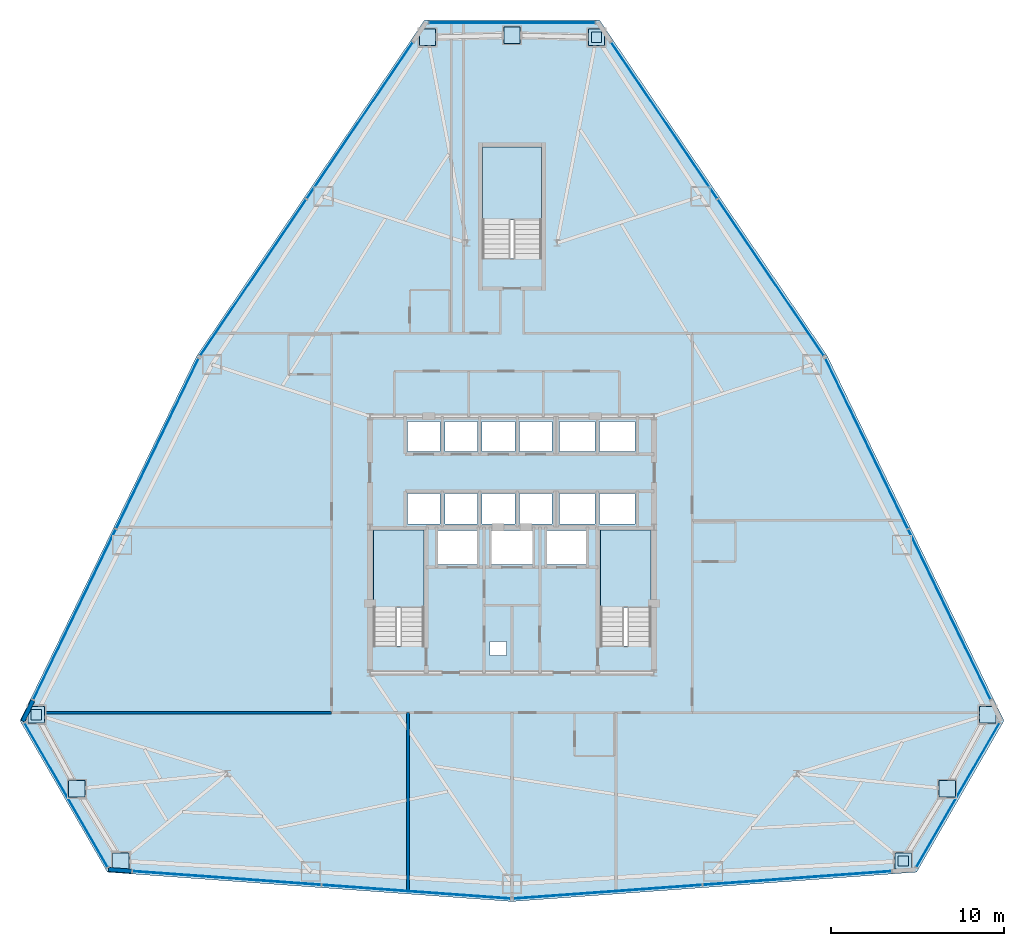
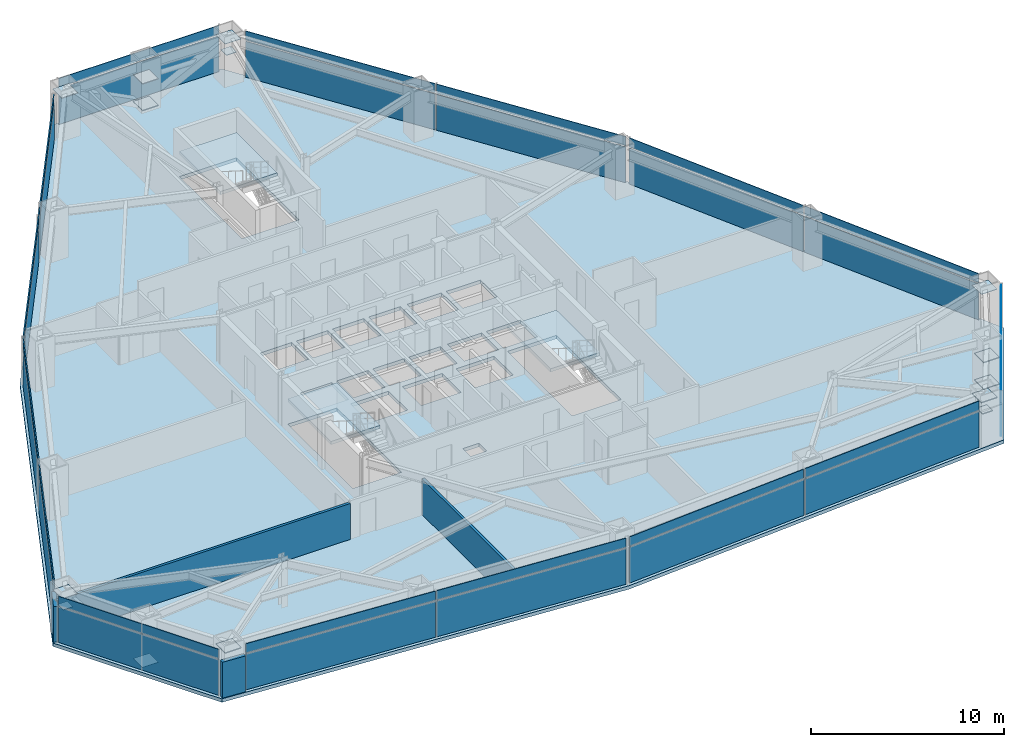
# One storey, part 8 of 12: 45 plates, 4 slabs, 4 walls, 12 elements without a shape of their own.
"""IFC4 building model written with IfcOpenShell, lengths in metres."""

from ifc_helpers import new_model, si_unit, direction, frame, frame_2d, origin, origin_2d, place, context, subcontext, project, spatial, polyline, rectangle, outline, extrude, source, transform, mapped, material, layer, layer_set, type_object, type_shapes, element, aggregate, save


model = new_model("IFC4")

# Units and contexts
model_context = context("Model", 3, precision=1e-05, world=origin(), true_north=direction((0.0, 1.0)))
body_context = subcontext(model_context, "Body", "Model", "MODEL_VIEW")
ifc_project = project(units=[si_unit("LENGTHUNIT", "METRE"), si_unit("AREAUNIT", "SQUARE_METRE"), si_unit("VOLUMEUNIT", "CUBIC_METRE"), si_unit("PLANEANGLEUNIT", "RADIAN"), si_unit("MASSUNIT", "GRAM", prefix="KILO")], contexts=[model_context])

# Site, building, storey
site_placement = place(None, origin())
site = spatial("IfcSite", under=ifc_project, at=site_placement, CompositionType="ELEMENT")
building_placement = place(site_placement, origin())
building = spatial("IfcBuilding", under=site, at=building_placement, Name="Varakhsha Concourse Tower", CompositionType="ELEMENT")
storey_placement = place(building_placement, frame((0.0, 0.0, 56.0)))
storey = spatial("IfcBuildingStorey", under=building, at=storey_placement, Name="L15", CompositionType="ELEMENT", Elevation=56.0)

# Slab
ifc_material_1 = material(Name="Concrete fc 45 MPa", Category="concrete")
ifc_layer_1 = layer(ifc_material_1, 0.219970703125, Name="SL-FLR-220")
ifc_layer_set_1 = layer_set([ifc_layer_1], Name="Concrete fc 45 MPa")
slab_type_1 = type_object("IfcSlabType", Name="SL-FLR-220", PredefinedType="FLOOR", material=ifc_layer_set_1)
slab_1_placement = place(storey_placement, frame((0.0, 0.0, -0.219970703125)))
element("IfcSlab", 1, at=slab_1_placement, inside=storey, type_object=slab_type_1, Name="L15 Composite Structural Slab", PredefinedType="FLOOR", context=body_context, shape_type="SweptSolid", body=[
    extrude(outline(polyline([(45.04296875, 54.0654296875), (34.95703125, 54.0654296875), (21.818115234375, 34.697265625), (11.6142578125, 13.634521484375), (16.656982421875, 4.89990234375), (40.0, 3.20556640625), (63.343017578125, 4.89990234375), (68.3857421875, 13.634521484375), (58.181884765625, 34.697265625), (45.04296875, 54.0654296875)]), holes=[polyline([(34.919921875, 17.93994140625), (34.919921875, 24.6298828125), (32.0, 24.6298828125), (32.0, 17.93994140625), (34.919921875, 17.93994140625)]), polyline([(48.02001953125, 17.93994140625), (48.02001953125, 24.6298828125), (45.10009765625, 24.6298828125), (45.10009765625, 17.93994140625), (48.02001953125, 17.93994140625)]), polyline([(41.699951171875, 40.300048828125), (41.699951171875, 46.75), (38.300048828125, 46.75), (38.300048828125, 40.300048828125), (41.699951171875, 40.300048828125)]), polyline([(33.9599609375, 29.159912109375), (35.840087890625, 29.159912109375), (35.840087890625, 30.89990234375), (33.9599609375, 30.89990234375), (33.9599609375, 29.159912109375)]), polyline([(36.1201171875, 29.159912109375), (38.0, 29.159912109375), (38.0, 30.89990234375), (36.1201171875, 30.89990234375), (36.1201171875, 29.159912109375)]), polyline([(38.280029296875, 29.159912109375), (40.159912109375, 29.159912109375), (40.159912109375, 30.89990234375), (38.280029296875, 30.89990234375), (38.280029296875, 29.159912109375)]), polyline([(40.43994140625, 29.159912109375), (42.320068359375, 29.159912109375), (42.320068359375, 30.89990234375), (40.43994140625, 30.89990234375), (40.43994140625, 29.159912109375)]), polyline([(33.9599609375, 25.0), (35.840087890625, 25.0), (35.840087890625, 26.739990234375), (33.9599609375, 26.739990234375), (33.9599609375, 25.0)]), polyline([(36.1201171875, 25.0), (38.0, 25.0), (38.0, 26.739990234375), (36.1201171875, 26.739990234375), (36.1201171875, 25.0)]), polyline([(38.280029296875, 25.0), (40.159912109375, 25.0), (40.159912109375, 26.739990234375), (38.280029296875, 26.739990234375), (38.280029296875, 25.0)]), polyline([(40.43994140625, 25.0), (42.320068359375, 25.0), (42.320068359375, 26.739990234375), (40.43994140625, 26.739990234375), (40.43994140625, 25.0)]), polyline([(42.739990234375, 29.159912109375), (44.780029296875, 29.159912109375), (44.780029296875, 30.89990234375), (42.739990234375, 30.89990234375), (42.739990234375, 29.159912109375)]), polyline([(45.06005859375, 29.159912109375), (47.10009765625, 29.159912109375), (47.10009765625, 30.89990234375), (45.06005859375, 30.89990234375), (45.06005859375, 29.159912109375)]), polyline([(42.739990234375, 25.0), (44.780029296875, 25.0), (44.780029296875, 26.739990234375), (42.739990234375, 26.739990234375), (42.739990234375, 25.0)]), polyline([(45.06005859375, 25.0), (47.10009765625, 25.0), (47.10009765625, 26.739990234375), (45.06005859375, 26.739990234375), (45.06005859375, 25.0)]), polyline([(35.7099609375, 22.639892578125), (37.989990234375, 22.639892578125), (37.989990234375, 24.60009765625), (35.7099609375, 24.60009765625), (35.7099609375, 22.639892578125)]), polyline([(42.010009765625, 22.639892578125), (44.2900390625, 22.639892578125), (44.2900390625, 24.60009765625), (42.010009765625, 24.60009765625), (42.010009765625, 22.639892578125)]), polyline([(38.81005859375, 22.639892578125), (41.18994140625, 22.639892578125), (41.18994140625, 24.60009765625), (38.81005859375, 24.60009765625), (38.81005859375, 22.639892578125)]), polyline([(38.719970703125, 17.39990234375), (39.679931640625, 17.39990234375), (39.679931640625, 18.199951171875), (38.719970703125, 18.199951171875), (38.719970703125, 17.39990234375)])]), origin(), (0.0, 0.0, 1.0), 0.219970703125),
])

# Stair, slab
stair_type_1 = type_object("IfcStairType", Name="ST-DOGLEG-1360", PredefinedType="HALF_TURN_STAIR", material=ifc_material_1)
stair_1_placement = place(storey_placement, origin())
stair_1 = element("IfcStair", 2, at=stair_1_placement, inside=storey, type_object=stair_type_1, Name="L15 Protected Exit Stair ST1", PredefinedType="HALF_TURN_STAIR")
ifc_layer_2 = layer(ifc_material_1, 0.199951171875, Name="SL-LAND-200")
ifc_layer_set_2 = layer_set([ifc_layer_2], Name="Concrete fc 45 MPa")
slab_type_2 = type_object("IfcSlabType", Name="SL-LAND-200", PredefinedType="LANDING", material=ifc_layer_set_2)
slab_2_placement = place(storey_placement, frame((0.0, 0.0, 1.39990234375)))
slab_2 = element("IfcSlab", 3, at=slab_2_placement, type_object=slab_type_2, Name="ST1 landing 1", PredefinedType="LANDING", context=body_context, shape_type="SweptSolid", body=[
    extrude(outline(polyline([(34.919921875, 20.179931640625), (34.919921875, 24.6298828125), (32.0, 24.6298828125), (32.0, 20.179931640625), (34.919921875, 20.179931640625)])), origin(), (0.0, 0.0, 1.0), 0.2001953125),
])
aggregate(stair_1, [slab_2])

stair_2_placement = place(storey_placement, origin())
stair_2 = element("IfcStair", 4, at=stair_2_placement, inside=storey, type_object=stair_type_1, Name="L15 Protected Exit Stair ST2", PredefinedType="HALF_TURN_STAIR")
slab_3_placement = place(storey_placement, frame((0.0, 0.0, 1.39990234375)))
slab_3 = element("IfcSlab", 5, at=slab_3_placement, type_object=slab_type_2, Name="ST2 landing 1", PredefinedType="LANDING", context=body_context, shape_type="SweptSolid", body=[
    extrude(outline(polyline([(48.02001953125, 20.179931640625), (48.02001953125, 24.6298828125), (45.10009765625, 24.6298828125), (45.10009765625, 20.179931640625), (48.02001953125, 20.179931640625)])), origin(), (0.0, 0.0, 1.0), 0.2001953125),
])
aggregate(stair_2, [slab_3])

stair_type_2 = type_object("IfcStairType", Name="ST-DOGLEG-1600", PredefinedType="HALF_TURN_STAIR", material=ifc_material_1)
stair_3_placement = place(storey_placement, origin())
stair_3 = element("IfcStair", 6, at=stair_3_placement, inside=storey, type_object=stair_type_2, Name="L15 Protected Exit Stair ST5", PredefinedType="HALF_TURN_STAIR")
slab_4_placement = place(storey_placement, frame((0.0, 0.0, 1.39990234375)))
slab_4 = element("IfcSlab", 7, at=slab_4_placement, type_object=slab_type_2, Name="ST5 landing 1", PredefinedType="LANDING", context=body_context, shape_type="SweptSolid", body=[
    extrude(outline(polyline([(41.699951171875, 42.5400390625), (41.699951171875, 46.75), (38.300048828125, 46.75), (38.300048828125, 42.5400390625), (41.699951171875, 42.5400390625)])), origin(), (0.0, 0.0, 1.0), 0.2001953125),
])
aggregate(stair_3, [slab_4])

# Plates
ifc_material_2 = material(Name="Structural Steel ASTM A572 Grade 50", Category="steel")
ifc_layer_3 = layer(ifc_material_2, 0.030029296875, Name="PL-ENDCAP-950")
ifc_layer_set_3 = layer_set([ifc_layer_3], Name="Structural Steel ASTM A572 Grade 50")
plate_type_1 = type_object("IfcPlateType", Name="PL-ENDCAP-950", PredefinedType="USERDEFINED", material=ifc_layer_set_3)
shared_shape_1 = source(origin(), body_context, "Body", "SweptSolid", [
    extrude(rectangle(XDim=0.949951171875, YDim=0.949951171875, at=origin_2d()), origin(), (0.0, 0.0, 1.0), 0.030029296875),
])
type_shapes(plate_type_1, [shared_shape_1])
for number, where, z_axis, x_axis, name in (
    (8, (40.0, 53.185546875, 0.10498046875), (0.0, 0.0, 1.0), (1.0, 0.0, 0.0), "Hollow Section End Cap GP-NODE-L15-0100"),
    (9, (44.87451171875, 53.067626953125, 2.6650390625), (0.0, 0.0, 1.0), (1.0, 0.0, 0.0), "Hollow Section End Cap GP-NODE-L15-0101"),
    (10, (35.12548828125, 53.067626953125, 2.6650390625), (0.0, 0.0, 1.0), (1.0, 0.0, 0.0), "Hollow Section End Cap GP-NODE-L15-0102"),
    (11, (14.897705078125, 9.707275390625, 0.10498046875), (0.0, 0.0, 1.0), (1.0, 0.0, 0.0), "Hollow Section End Cap GP-NODE-L15-0103"),
    (12, (12.562744140625, 13.987548828125, 2.6650390625), (0.0, 0.0, 1.0), (1.0, 0.0, 0.0), "Hollow Section End Cap GP-NODE-L15-0104"),
    (13, (17.43701171875, 5.544921875, 2.6650390625), (0.0, 0.0, 1.0), (1.0, 0.0, 0.0), "Hollow Section End Cap GP-NODE-L15-0105"),
    (14, (65.102294921875, 9.707275390625, 0.10498046875), (0.0, 0.0, 1.0), (1.0, 0.0, 0.0), "Hollow Section End Cap GP-NODE-L15-0106"),
    (15, (62.56298828125, 5.544921875, 2.6650390625), (0.0, 0.0, 1.0), (1.0, 0.0, 0.0), "Hollow Section End Cap GP-NODE-L15-0107"),
    (16, (67.437255859375, 13.987548828125, 2.6650390625), (0.0, 0.0, 1.0), (1.0, 0.0, 0.0), "Hollow Section End Cap GP-NODE-L15-0108"),
    (17, (40.0, 53.185546875, 1.78515625), (0.0, 0.0, 1.0), (1.0, 0.0, 0.0), "Hollow Section End Cap GP-NODE-L15-0109"),
    (18, (14.897705078125, 9.707275390625, 1.78515625), (0.0, 0.0, 1.0), (1.0, 0.0, 0.0), "Hollow Section End Cap GP-NODE-L15-0110"),
    (19, (65.102294921875, 9.707275390625, 1.78515625), (0.0, 0.0, 1.0), (1.0, 0.0, 0.0), "Hollow Section End Cap GP-NODE-L15-0111"),
):
    element("IfcPlate", number, at=place(storey_placement, frame(where, z_axis=z_axis, x_axis=x_axis)), inside=storey, type_object=plate_type_1, Name=name, ObjectType="END PLATE", PredefinedType="USERDEFINED", context=body_context, shape_type="MappedRepresentation", body=[
        mapped(shared_shape_1, transform((0.0, 0.0, 0.0), scale=1.0)),
    ])
ifc_layer_4 = layer(ifc_material_2, 0.030029296875, Name="PL-BASE-600")
ifc_layer_set_4 = layer_set([ifc_layer_4], Name="Structural Steel ASTM A572 Grade 50")
plate_type_2 = type_object("IfcPlateType", Name="PL-BASE-600", PredefinedType="SHEET", material=ifc_layer_set_4)
shared_shape_2 = source(origin(), body_context, "Body", "SweptSolid", [
    extrude(rectangle(XDim=0.60009765625, YDim=0.60009765625, at=origin_2d()), origin(), (0.0, 0.0, 1.0), 0.030029296875),
])
type_shapes(plate_type_2, [shared_shape_2])
for number, where, z_axis, x_axis, name in (
    (20, (44.87451171875, 53.067626953125, 1.78515625), (0.0, 0.0, 1.0), (1.0, 0.0, 0.0), "Hollow Section End Cap BP-WTIE-L15-1"),
    (21, (12.562744140625, 13.987548828125, 1.78515625), (0.0, 0.0, 1.0), (1.0, 0.0, 0.0), "Hollow Section End Cap BP-WTIE-L15-2"),
    (22, (62.56298828125, 5.544921875, 1.78515625), (0.0, 0.0, 1.0), (1.0, 0.0, 0.0), "Hollow Section End Cap BP-WTIE-L15-3"),
):
    element("IfcPlate", number, at=place(storey_placement, frame(where, z_axis=z_axis, x_axis=x_axis)), inside=storey, type_object=plate_type_2, Name=name, PredefinedType="SHEET", context=body_context, shape_type="MappedRepresentation", body=[
        mapped(shared_shape_2, transform((0.0, 0.0, 0.0), scale=1.0)),
    ])

# Curtain wall, plates
ifc_material_3 = material(Name="Anodised Bronze Architectural Aluminium AA 6063-T6", Category="aluminium")
ifc_layer_5 = layer(ifc_material_3, 0.219970703125, Name="CW-SYS-02")
ifc_layer_set_5 = layer_set([ifc_layer_5], Name="Anodised Bronze Architectural Aluminium AA 6063-T6")
curtain_wall_type = type_object("IfcCurtainWallType", Name="CW-SYS-02", PredefinedType="NOTDEFINED", material=ifc_layer_set_5)
curtain_wall_1_placement = place(storey_placement, origin())
curtain_wall_1 = element("IfcCurtainWall", 23, at=curtain_wall_1_placement, inside=storey, type_object=curtain_wall_type, Name="L15 Chamfer Curtain Wall F1", PredefinedType="NOTDEFINED")
ifc_material_4 = material(Name="Insulated Anodised Bronze Aluminium Spandrel 36 mm", Category="aluminium")
ifc_layer_6 = layer(ifc_material_4, 0.035888671875, Name="CWP-SPN-36")
ifc_layer_set_6 = layer_set([ifc_layer_6], Name="Insulated Anodised Bronze Aluminium Spandrel 36 mm")
plate_type_3 = type_object("IfcPlateType", Name="CWP-SPN-36", PredefinedType="USERDEFINED", material=ifc_layer_set_6)
shared_shape_3 = source(origin(), body_context, "Body", "SweptSolid", [
    extrude(rectangle(XDim=9.56689453125, YDim=0.035888671875, at=origin_2d()), origin(), (0.0, 0.0, 1.0), 2.260986328125),
])
plate_1_placement = place(storey_placement, frame((40.0, 53.905517578125, 0.03466796875), z_axis=(0.0, 0.0, 1.0), x_axis=(1.0, 0.0, 0.0)))
plate_1 = element("IfcPlate", 24, at=plate_1_placement, type_object=plate_type_3, Name="CW-L15-F1 Panel 00-00", ObjectType="SPANDREL", PredefinedType="USERDEFINED", context=body_context, shape_type="MappedRepresentation", body=[
    mapped(shared_shape_3, transform((0.0, 0.0, 0.0), scale=1.0)),
])
ifc_material_5 = material(Name="Glazed Turquoise-Bronze Ceramic Spandrel Panel 38 mm", Category="ceramic")
ifc_layer_7 = layer(ifc_material_5, 0.0380859375, Name="CWP-SPN-38")
ifc_layer_set_7 = layer_set([ifc_layer_7], Name="Glazed Turquoise-Bronze Ceramic Spandrel Panel 38 mm")
plate_type_4 = type_object("IfcPlateType", Name="CWP-SPN-38", PredefinedType="USERDEFINED", material=ifc_layer_set_7)
shared_shape_4 = source(origin(), body_context, "Body", "SweptSolid", [
    extrude(rectangle(XDim=9.56689453125, YDim=0.0380859375, at=origin_2d()), origin(), (0.0, 0.0, 1.0), 0.5810546875),
])
plate_2_placement = place(storey_placement, frame((40.0, 53.905517578125, 2.364501953125), z_axis=(0.0, 0.0, 1.0), x_axis=(1.0, 0.0, 0.0)))
plate_2 = element("IfcPlate", 25, at=plate_2_placement, type_object=plate_type_4, Name="CW-L15-F1 Panel 00-01", ObjectType="SPANDREL", PredefinedType="USERDEFINED", context=body_context, shape_type="MappedRepresentation", body=[
    mapped(shared_shape_4, transform((0.0, 0.0, 0.0), scale=1.0)),
])
aggregate(curtain_wall_1, [plate_1, plate_2])

curtain_wall_2_placement = place(storey_placement, origin())
curtain_wall_2 = element("IfcCurtainWall", 26, at=curtain_wall_2_placement, inside=storey, type_object=curtain_wall_type, Name="L15 Crystal Curtain Wall F2", PredefinedType="NOTDEFINED")
ifc_material_6 = material(Name="Low-E Triple Insulating Glass IGU 44 mm", Category="glass")
ifc_layer_8 = layer(ifc_material_6, 0.0439453125, Name="CWP-IGU-44")
ifc_layer_set_8 = layer_set([ifc_layer_8], Name="Low-E Triple Insulating Glass IGU 44 mm")
plate_type_5 = type_object("IfcPlateType", Name="CWP-IGU-44", PredefinedType="CURTAIN_PANEL", material=ifc_layer_set_8)
shared_shape_5 = source(origin(), body_context, "Body", "SweptSolid", [
    extrude(rectangle(XDim=10.873046875, YDim=0.0439453125, at=origin_2d()), origin(), (0.0, 0.0, 1.0), 2.260986328125),
])
plate_3_placement = place(storey_placement, frame((25.069580078125, 39.205322265625, 0.03466796875), z_axis=(0.0, 0.0, 1.0), x_axis=(0.561391731634, 0.827550194038, 0.0)))
plate_3 = element("IfcPlate", 27, at=plate_3_placement, type_object=plate_type_5, Name="CW-L15-F2 Panel 00-00", PredefinedType="CURTAIN_PANEL", context=body_context, shape_type="MappedRepresentation", body=[
    mapped(shared_shape_5, transform((0.0, 0.0, 0.0), scale=1.0)),
])
plate_4_placement = place(storey_placement, frame((31.218017578125, 48.268798828125, 0.03466796875), z_axis=(0.0, 0.0, 1.0), x_axis=(0.561391731634, 0.827550194038, 0.0)))
plate_4 = element("IfcPlate", 28, at=plate_4_placement, type_object=plate_type_5, Name="CW-L15-F2 Panel 01-00", PredefinedType="CURTAIN_PANEL", context=body_context, shape_type="MappedRepresentation", body=[
    mapped(shared_shape_5, transform((0.0, 0.0, 0.0), scale=1.0)),
])

# Curtain wall, plate
curtain_wall_3_placement = place(storey_placement, origin())
curtain_wall_3 = element("IfcCurtainWall", 29, at=curtain_wall_3_placement, inside=storey, type_object=curtain_wall_type, Name="L15 Crystal Curtain Wall F3", PredefinedType="NOTDEFINED")
plate_5_placement = place(storey_placement, frame((14.764892578125, 19.770751953125, 0.03466796875), z_axis=(0.0, 0.0, 1.0), x_axis=(0.435982054409, 0.899955359022, 0.0)))
plate_5 = element("IfcPlate", 30, at=plate_5_placement, type_object=plate_type_5, Name="CW-L15-F3 Panel 00-00", PredefinedType="CURTAIN_PANEL", context=body_context, shape_type="MappedRepresentation", body=[
    mapped(shared_shape_5, transform((0.0, 0.0, 0.0), scale=1.0)),
])

curtain_wall_4_placement = place(storey_placement, origin())
curtain_wall_4 = element("IfcCurtainWall", 31, at=curtain_wall_4_placement, inside=storey, type_object=curtain_wall_type, Name="L15 Crystal Curtain Wall F5", PredefinedType="NOTDEFINED")
plate_6_placement = place(storey_placement, frame((34.47021484375, 3.767333984375, 0.03466796875), z_axis=(0.0, 0.0, 1.0), x_axis=(-0.997375609494, 0.072400922553, 0.0)))
plate_6 = element("IfcPlate", 32, at=plate_6_placement, type_object=plate_type_5, Name="CW-L15-F5 Panel 00-00", PredefinedType="CURTAIN_PANEL", context=body_context, shape_type="MappedRepresentation", body=[
    mapped(shared_shape_5, transform((0.0, 0.0, 0.0), scale=1.0)),
])

curtain_wall_5_placement = place(storey_placement, origin())
curtain_wall_5 = element("IfcCurtainWall", 33, at=curtain_wall_5_placement, inside=storey, type_object=curtain_wall_type, Name="L15 Crystal Curtain Wall F6", PredefinedType="NOTDEFINED")
plate_7_placement = place(storey_placement, frame((56.453369140625, 4.560302734375, 0.03466796875), z_axis=(0.0, 0.0, 1.0), x_axis=(-0.997375609494, -0.072400922553, 0.0)))
plate_7 = element("IfcPlate", 34, at=plate_7_placement, type_object=plate_type_5, Name="CW-L15-F6 Panel 00-00", PredefinedType="CURTAIN_PANEL", context=body_context, shape_type="MappedRepresentation", body=[
    mapped(shared_shape_5, transform((0.0, 0.0, 0.0), scale=1.0)),
])

curtain_wall_6_placement = place(storey_placement, origin())
curtain_wall_6 = element("IfcCurtainWall", 35, at=curtain_wall_6_placement, inside=storey, type_object=curtain_wall_type, Name="L15 Crystal Curtain Wall F8", PredefinedType="NOTDEFINED")
plate_8_placement = place(storey_placement, frame((60.460205078125, 29.627197265625, 0.03466796875), z_axis=(0.0, 0.0, 1.0), x_axis=(0.435982054409, -0.899955359022, 0.0)))
plate_8 = element("IfcPlate", 36, at=plate_8_placement, type_object=plate_type_5, Name="CW-L15-F8 Panel 00-00", PredefinedType="CURTAIN_PANEL", context=body_context, shape_type="MappedRepresentation", body=[
    mapped(shared_shape_5, transform((0.0, 0.0, 0.0), scale=1.0)),
])

# Curtain wall, plates
curtain_wall_7_placement = place(storey_placement, origin())
curtain_wall_7 = element("IfcCurtainWall", 37, at=curtain_wall_7_placement, inside=storey, type_object=curtain_wall_type, Name="L15 Crystal Curtain Wall F9", PredefinedType="NOTDEFINED")
plate_9_placement = place(storey_placement, frame((48.781982421875, 48.268798828125, 0.03466796875), z_axis=(0.0, 0.0, 1.0), x_axis=(0.561391731634, -0.827550194038, 0.0)))
plate_9 = element("IfcPlate", 38, at=plate_9_placement, type_object=plate_type_5, Name="CW-L15-F9 Panel 00-00", PredefinedType="CURTAIN_PANEL", context=body_context, shape_type="MappedRepresentation", body=[
    mapped(shared_shape_5, transform((0.0, 0.0, 0.0), scale=1.0)),
])
plate_10_placement = place(storey_placement, frame((54.930419921875, 39.205322265625, 0.03466796875), z_axis=(0.0, 0.0, 1.0), x_axis=(0.561391731634, -0.827550194038, 0.0)))
plate_10 = element("IfcPlate", 39, at=plate_10_placement, type_object=plate_type_5, Name="CW-L15-F9 Panel 01-00", PredefinedType="CURTAIN_PANEL", context=body_context, shape_type="MappedRepresentation", body=[
    mapped(shared_shape_5, transform((0.0, 0.0, 0.0), scale=1.0)),
])

# Plate
shared_shape_6 = source(origin(), body_context, "Body", "SweptSolid", [
    extrude(rectangle(XDim=10.873046875, YDim=0.0380859375, at=origin_2d()), origin(), (0.0, 0.0, 1.0), 0.5810546875),
])
plate_11_placement = place(storey_placement, frame((25.069580078125, 39.205322265625, 2.364501953125), z_axis=(0.0, 0.0, 1.0), x_axis=(0.561391731634, 0.827550194038, 0.0)))
plate_11 = element("IfcPlate", 40, at=plate_11_placement, type_object=plate_type_4, Name="CW-L15-F2 Panel 00-01", ObjectType="SPANDREL", PredefinedType="USERDEFINED", context=body_context, shape_type="MappedRepresentation", body=[
    mapped(shared_shape_6, transform((0.0, 0.0, 0.0), scale=1.0)),
])

plate_12_placement = place(storey_placement, frame((31.218017578125, 48.268798828125, 2.364501953125), z_axis=(0.0, 0.0, 1.0), x_axis=(0.561391731634, 0.827550194038, 0.0)))
plate_12 = element("IfcPlate", 41, at=plate_12_placement, type_object=plate_type_4, Name="CW-L15-F2 Panel 01-01", ObjectType="SPANDREL", PredefinedType="USERDEFINED", context=body_context, shape_type="MappedRepresentation", body=[
    mapped(shared_shape_6, transform((0.0, 0.0, 0.0), scale=1.0)),
])

aggregate(curtain_wall_2, [plate_3, plate_11, plate_4, plate_12])

plate_13_placement = place(storey_placement, frame((14.764892578125, 19.770751953125, 2.364501953125), z_axis=(0.0, 0.0, 1.0), x_axis=(0.435982054409, 0.899955359022, 0.0)))
plate_13 = element("IfcPlate", 42, at=plate_13_placement, type_object=plate_type_4, Name="CW-L15-F3 Panel 00-01", ObjectType="SPANDREL", PredefinedType="USERDEFINED", context=body_context, shape_type="MappedRepresentation", body=[
    mapped(shared_shape_6, transform((0.0, 0.0, 0.0), scale=1.0)),
])

plate_14_placement = place(storey_placement, frame((34.47021484375, 3.767333984375, 2.364501953125), z_axis=(0.0, 0.0, 1.0), x_axis=(-0.997375609494, 0.072400922553, 0.0)))
plate_14 = element("IfcPlate", 43, at=plate_14_placement, type_object=plate_type_4, Name="CW-L15-F5 Panel 00-01", ObjectType="SPANDREL", PredefinedType="USERDEFINED", context=body_context, shape_type="MappedRepresentation", body=[
    mapped(shared_shape_6, transform((0.0, 0.0, 0.0), scale=1.0)),
])

plate_15_placement = place(storey_placement, frame((56.453369140625, 4.560302734375, 2.364501953125), z_axis=(0.0, 0.0, 1.0), x_axis=(-0.997375609494, -0.072400922553, 0.0)))
plate_15 = element("IfcPlate", 44, at=plate_15_placement, type_object=plate_type_4, Name="CW-L15-F6 Panel 00-01", ObjectType="SPANDREL", PredefinedType="USERDEFINED", context=body_context, shape_type="MappedRepresentation", body=[
    mapped(shared_shape_6, transform((0.0, 0.0, 0.0), scale=1.0)),
])

plate_16_placement = place(storey_placement, frame((60.460205078125, 29.627197265625, 2.364501953125), z_axis=(0.0, 0.0, 1.0), x_axis=(0.435982054409, -0.899955359022, 0.0)))
plate_16 = element("IfcPlate", 45, at=plate_16_placement, type_object=plate_type_4, Name="CW-L15-F8 Panel 00-01", ObjectType="SPANDREL", PredefinedType="USERDEFINED", context=body_context, shape_type="MappedRepresentation", body=[
    mapped(shared_shape_6, transform((0.0, 0.0, 0.0), scale=1.0)),
])

plate_17_placement = place(storey_placement, frame((48.781982421875, 48.268798828125, 2.364501953125), z_axis=(0.0, 0.0, 1.0), x_axis=(0.561391731634, -0.827550194038, 0.0)))
plate_17 = element("IfcPlate", 46, at=plate_17_placement, type_object=plate_type_4, Name="CW-L15-F9 Panel 00-01", ObjectType="SPANDREL", PredefinedType="USERDEFINED", context=body_context, shape_type="MappedRepresentation", body=[
    mapped(shared_shape_6, transform((0.0, 0.0, 0.0), scale=1.0)),
])

plate_18_placement = place(storey_placement, frame((54.930419921875, 39.205322265625, 2.364501953125), z_axis=(0.0, 0.0, 1.0), x_axis=(0.561391731634, -0.827550194038, 0.0)))
plate_18 = element("IfcPlate", 47, at=plate_18_placement, type_object=plate_type_4, Name="CW-L15-F9 Panel 01-01", ObjectType="SPANDREL", PredefinedType="USERDEFINED", context=body_context, shape_type="MappedRepresentation", body=[
    mapped(shared_shape_6, transform((0.0, 0.0, 0.0), scale=1.0)),
])

aggregate(curtain_wall_7, [plate_9, plate_17, plate_10, plate_18])

shared_shape_7 = source(origin(), body_context, "Body", "SweptSolid", [
    extrude(rectangle(XDim=10.873291015625, YDim=0.0439453125, at=origin_2d()), origin(), (0.0, 0.0, 1.0), 2.260986328125),
])
type_shapes(plate_type_5, [shared_shape_5, shared_shape_7])
plate_19_placement = place(storey_placement, frame((19.539794921875, 29.627197265625, 0.03466796875), z_axis=(0.0, 0.0, 1.0), x_axis=(0.435982054409, 0.899955359022, 0.0)))
plate_19 = element("IfcPlate", 48, at=plate_19_placement, type_object=plate_type_5, Name="CW-L15-F3 Panel 01-00", PredefinedType="CURTAIN_PANEL", context=body_context, shape_type="MappedRepresentation", body=[
    mapped(shared_shape_7, transform((0.0, 0.0, 0.0), scale=1.0)),
])

plate_20_placement = place(storey_placement, frame((23.546630859375, 4.560302734375, 0.03466796875), z_axis=(0.0, 0.0, 1.0), x_axis=(-0.997375609494, 0.072400922553, 0.0)))
plate_20 = element("IfcPlate", 49, at=plate_20_placement, type_object=plate_type_5, Name="CW-L15-F5 Panel 01-00", PredefinedType="CURTAIN_PANEL", context=body_context, shape_type="MappedRepresentation", body=[
    mapped(shared_shape_7, transform((0.0, 0.0, 0.0), scale=1.0)),
])

plate_21_placement = place(storey_placement, frame((45.52978515625, 3.767333984375, 0.03466796875), z_axis=(0.0, 0.0, 1.0), x_axis=(-0.997375609494, -0.072400922553, 0.0)))
plate_21 = element("IfcPlate", 50, at=plate_21_placement, type_object=plate_type_5, Name="CW-L15-F6 Panel 01-00", PredefinedType="CURTAIN_PANEL", context=body_context, shape_type="MappedRepresentation", body=[
    mapped(shared_shape_7, transform((0.0, 0.0, 0.0), scale=1.0)),
])

plate_22_placement = place(storey_placement, frame((65.235107421875, 19.77099609375, 0.03466796875), z_axis=(0.0, 0.0, 1.0), x_axis=(0.435982054409, -0.899955359022, 0.0)))
plate_22 = element("IfcPlate", 51, at=plate_22_placement, type_object=plate_type_5, Name="CW-L15-F8 Panel 01-00", PredefinedType="CURTAIN_PANEL", context=body_context, shape_type="MappedRepresentation", body=[
    mapped(shared_shape_7, transform((0.0, 0.0, 0.0), scale=1.0)),
])

shared_shape_8 = source(origin(), body_context, "Body", "SweptSolid", [
    extrude(rectangle(XDim=10.873291015625, YDim=0.0380859375, at=origin_2d()), origin(), (0.0, 0.0, 1.0), 0.5810546875),
])
plate_23_placement = place(storey_placement, frame((19.539794921875, 29.627197265625, 2.364501953125), z_axis=(0.0, 0.0, 1.0), x_axis=(0.435982054409, 0.899955359022, 0.0)))
plate_23 = element("IfcPlate", 52, at=plate_23_placement, type_object=plate_type_4, Name="CW-L15-F3 Panel 01-01", ObjectType="SPANDREL", PredefinedType="USERDEFINED", context=body_context, shape_type="MappedRepresentation", body=[
    mapped(shared_shape_8, transform((0.0, 0.0, 0.0), scale=1.0)),
])

aggregate(curtain_wall_3, [plate_5, plate_13, plate_19, plate_23])

plate_24_placement = place(storey_placement, frame((23.546630859375, 4.560302734375, 2.364501953125), z_axis=(0.0, 0.0, 1.0), x_axis=(-0.997375609494, 0.072400922553, 0.0)))
plate_24 = element("IfcPlate", 53, at=plate_24_placement, type_object=plate_type_4, Name="CW-L15-F5 Panel 01-01", ObjectType="SPANDREL", PredefinedType="USERDEFINED", context=body_context, shape_type="MappedRepresentation", body=[
    mapped(shared_shape_8, transform((0.0, 0.0, 0.0), scale=1.0)),
])

aggregate(curtain_wall_4, [plate_6, plate_14, plate_20, plate_24])

plate_25_placement = place(storey_placement, frame((45.52978515625, 3.767333984375, 2.364501953125), z_axis=(0.0, 0.0, 1.0), x_axis=(-0.997375609494, -0.072400922553, 0.0)))
plate_25 = element("IfcPlate", 54, at=plate_25_placement, type_object=plate_type_4, Name="CW-L15-F6 Panel 01-01", ObjectType="SPANDREL", PredefinedType="USERDEFINED", context=body_context, shape_type="MappedRepresentation", body=[
    mapped(shared_shape_8, transform((0.0, 0.0, 0.0), scale=1.0)),
])

aggregate(curtain_wall_5, [plate_7, plate_15, plate_21, plate_25])

plate_26_placement = place(storey_placement, frame((65.235107421875, 19.77099609375, 2.364501953125), z_axis=(0.0, 0.0, 1.0), x_axis=(0.435982054409, -0.899955359022, 0.0)))
plate_26 = element("IfcPlate", 55, at=plate_26_placement, type_object=plate_type_4, Name="CW-L15-F8 Panel 01-01", ObjectType="SPANDREL", PredefinedType="USERDEFINED", context=body_context, shape_type="MappedRepresentation", body=[
    mapped(shared_shape_8, transform((0.0, 0.0, 0.0), scale=1.0)),
])

aggregate(curtain_wall_6, [plate_8, plate_16, plate_22, plate_26])

# Curtain wall, plate
curtain_wall_8_placement = place(storey_placement, origin())
curtain_wall_8 = element("IfcCurtainWall", 56, at=curtain_wall_8_placement, inside=storey, type_object=curtain_wall_type, Name="L15 Chamfer Curtain Wall F4", PredefinedType="NOTDEFINED")
shared_shape_9 = source(origin(), body_context, "Body", "SweptSolid", [
    extrude(rectangle(XDim=9.566650390625, YDim=0.035888671875, at=origin_2d()), origin(), (0.0, 0.0, 1.0), 2.260986328125),
])
type_shapes(plate_type_3, [shared_shape_3, shared_shape_9])
plate_27_placement = place(storey_placement, frame((14.2744140625, 9.34716796875, 0.03466796875), z_axis=(0.0, 0.0, 1.0), x_axis=(-0.499992442484, 0.866029767075, 0.0)))
plate_27 = element("IfcPlate", 57, at=plate_27_placement, type_object=plate_type_3, Name="CW-L15-F4 Panel 00-00", ObjectType="SPANDREL", PredefinedType="USERDEFINED", context=body_context, shape_type="MappedRepresentation", body=[
    mapped(shared_shape_9, transform((0.0, 0.0, 0.0), scale=1.0)),
])

curtain_wall_9_placement = place(storey_placement, origin())
curtain_wall_9 = element("IfcCurtainWall", 58, at=curtain_wall_9_placement, inside=storey, type_object=curtain_wall_type, Name="L15 Chamfer Curtain Wall F7", PredefinedType="NOTDEFINED")
plate_28_placement = place(storey_placement, frame((65.7255859375, 9.34716796875, 0.03466796875), z_axis=(0.0, 0.0, 1.0), x_axis=(-0.499992442484, -0.866029767075, 0.0)))
plate_28 = element("IfcPlate", 59, at=plate_28_placement, type_object=plate_type_3, Name="CW-L15-F7 Panel 00-00", ObjectType="SPANDREL", PredefinedType="USERDEFINED", context=body_context, shape_type="MappedRepresentation", body=[
    mapped(shared_shape_9, transform((0.0, 0.0, 0.0), scale=1.0)),
])

# Plate
shared_shape_10 = source(origin(), body_context, "Body", "SweptSolid", [
    extrude(rectangle(XDim=9.566650390625, YDim=0.0380859375, at=origin_2d()), origin(), (0.0, 0.0, 1.0), 0.5810546875),
])
type_shapes(plate_type_4, [shared_shape_4, shared_shape_6, shared_shape_8, shared_shape_10])
plate_29_placement = place(storey_placement, frame((14.2744140625, 9.34716796875, 2.364501953125), z_axis=(0.0, 0.0, 1.0), x_axis=(-0.499992442484, 0.866029767075, 0.0)))
plate_29 = element("IfcPlate", 60, at=plate_29_placement, type_object=plate_type_4, Name="CW-L15-F4 Panel 00-01", ObjectType="SPANDREL", PredefinedType="USERDEFINED", context=body_context, shape_type="MappedRepresentation", body=[
    mapped(shared_shape_10, transform((0.0, 0.0, 0.0), scale=1.0)),
])

aggregate(curtain_wall_8, [plate_27, plate_29])

plate_30_placement = place(storey_placement, frame((65.7255859375, 9.34716796875, 2.364501953125), z_axis=(0.0, 0.0, 1.0), x_axis=(-0.499992442484, -0.866029767075, 0.0)))
plate_30 = element("IfcPlate", 61, at=plate_30_placement, type_object=plate_type_4, Name="CW-L15-F7 Panel 00-01", ObjectType="SPANDREL", PredefinedType="USERDEFINED", context=body_context, shape_type="MappedRepresentation", body=[
    mapped(shared_shape_10, transform((0.0, 0.0, 0.0), scale=1.0)),
])

aggregate(curtain_wall_9, [plate_28, plate_30])

# Walls
ifc_layer_9 = layer(ifc_material_1, 0.239990234375, Name="WL-EXT-CRN-240")
ifc_layer_set_9 = layer_set([ifc_layer_9], Name="Concrete fc 45 MPa")
wall_type_1 = type_object("IfcWallType", Name="WL-EXT-CRN-240", PredefinedType="SHEAR", material=ifc_layer_set_9)
wall_1_placement = place(storey_placement, frame((12.361083984375, 14.808837890625, 0.0), z_axis=(0.0, 0.0, 1.0), x_axis=(-0.435989010646, -0.89995198905, 0.0)))
element("IfcWall", 62, at=wall_1_placement, inside=storey, type_object=wall_type_1, Name="L15 Wind-Corner Shoulder Wall F3", PredefinedType="SHEAR", context=body_context, shape_type="SweptSolid", body=[
    extrude(rectangle(XDim=1.32666015625, YDim=0.239990234375, at=frame_2d((0.663330078125, 0.0))), origin(), (0.0, 0.0, 1.0), 2.262939453125),
])
wall_2_placement = place(storey_placement, frame((16.7255859375, 5.055419921875, 0.0), z_axis=(0.0, 0.0, 1.0), x_axis=(0.997376707961, -0.072385788777, 0.0)))
element("IfcWall", 63, at=wall_2_placement, inside=storey, type_object=wall_type_1, Name="L15 Wind-Corner Shoulder Wall F5", PredefinedType="SHEAR", context=body_context, shape_type="SweptSolid", body=[
    extrude(rectangle(XDim=1.325439453125, YDim=0.239990234375, at=frame_2d((0.66259765625, 0.0))), origin(), (0.0, 0.0, 1.0), 2.262939453125),
])
ifc_material_7 = material(Name="Fire-Rated Type X Gypsum Partition Assembly", Category="gypsum")
ifc_layer_10 = layer(ifc_material_7, 0.14990234375, Name="WL-PART-150")
ifc_layer_set_10 = layer_set([ifc_layer_10], Name="Fire-Rated Type X Gypsum Partition Assembly")
wall_type_2 = type_object("IfcWallType", Name="WL-PART-150", PredefinedType="PARTITIONING", material=ifc_layer_set_10)
wall_3_placement = place(storey_placement, frame((34.0, 3.806396484375, 0.0), z_axis=(0.0, 0.0, 1.0), x_axis=(0.0, 1.0, 0.0)))
element("IfcWall", 64, at=wall_3_placement, inside=storey, type_object=wall_type_2, Name="L15 Wall HDIV-S1-L15", PredefinedType="PARTITIONING", context=body_context, shape_type="SweptSolid", body=[
    extrude(rectangle(XDim=10.293701171875, YDim=0.14990234375, at=frame_2d((5.14697265625, 0.0))), origin(), (0.0, 0.0, 1.0), 2.26806640625),
])
wall_4_placement = place(storey_placement, frame((12.023193359375, 14.10009765625, 0.0), z_axis=(0.0, 0.0, 1.0), x_axis=(1.0, 0.0, 0.0)))
element("IfcWall", 65, at=wall_4_placement, inside=storey, type_object=wall_type_2, Name="L15 Wall HDIV-WB0-L15", PredefinedType="PARTITIONING", context=body_context, shape_type="SweptSolid", body=[
    extrude(rectangle(XDim=17.576904296875, YDim=0.14990234375, at=frame_2d((8.78857421875, 0.0))), origin(), (0.0, 0.0, 1.0), 2.26806640625),
])

save(model, "model.ifc")
